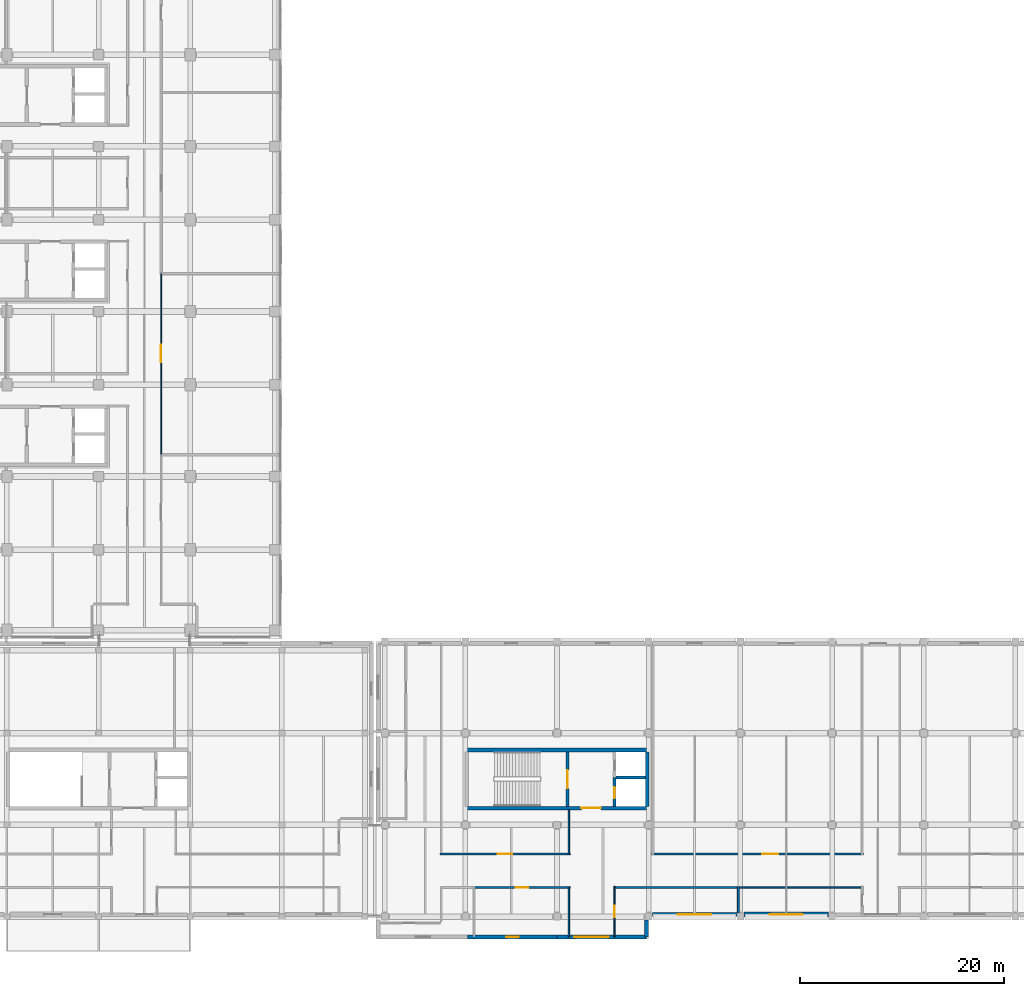
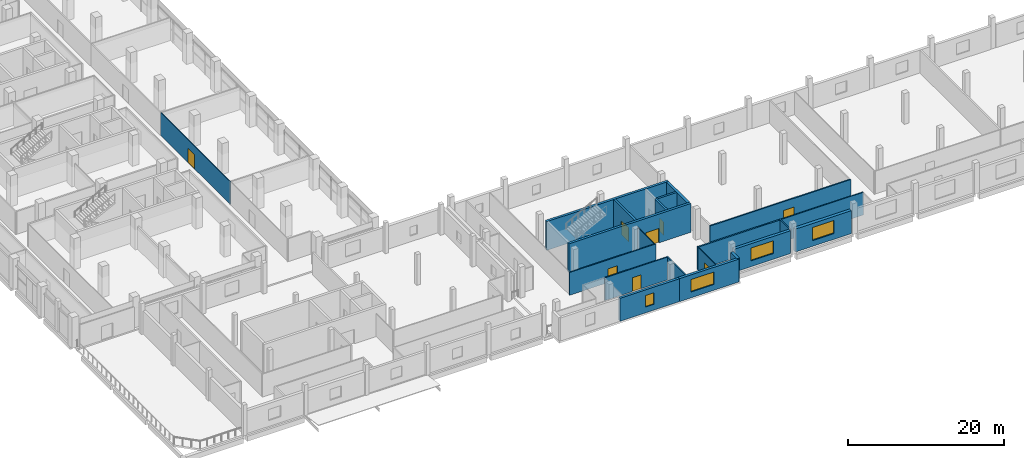
# One storey, part 68 of 111: 21 walls, 8 doors, 4 windows, 12 openings.
"""IFC4 building model written with IfcOpenShell, lengths in metres."""

from ifc_helpers import new_model, si_unit, direction, frame, frame_2d, origin, place, context, subcontext, project, spatial, rectangle, extrude, material, layer, layer_set, type_object, element, fill, save


model = new_model("IFC4")

# Units and contexts
model_context = context("Model", 3, precision=1e-05, world=origin(), true_north=direction((0.0, 1.0)))
body_context = subcontext(model_context, "Body", "Model", "MODEL_VIEW")
ifc_project = project(units=[si_unit("LENGTHUNIT", "METRE"), si_unit("AREAUNIT", "SQUARE_METRE"), si_unit("VOLUMEUNIT", "CUBIC_METRE"), si_unit("PLANEANGLEUNIT", "RADIAN"), si_unit("MASSUNIT", "GRAM", prefix="KILO"), si_unit("THERMODYNAMICTEMPERATUREUNIT", "KELVIN"), si_unit("POWERUNIT", "WATT")], contexts=[model_context])

# Site, building, storey
site_placement = place(None, origin())
site = spatial("IfcSite", under=ifc_project, at=site_placement, CompositionType="ELEMENT")
building_placement = place(site_placement, origin())
building = spatial("IfcBuilding", under=site, at=building_placement, Name="Sindhuravela Promenade Stadium", CompositionType="ELEMENT")
storey_placement = place(building_placement, frame((0.0, 0.0, 9.60009765625)))
storey = spatial("IfcBuildingStorey", under=building, at=storey_placement, Name="L02", CompositionType="ELEMENT", Elevation=9.60009765625)

# Wall, opening, window
ifc_material_1 = material(Name="Terracotta clay brick masonry (15 MPa)", Category="masonry")
ifc_layer_1 = layer(ifc_material_1, 0.360107421875)
ifc_layer_set_1 = layer_set([ifc_layer_1], Name="Terracotta clay brick masonry (15 MPa)")
wall_type_1 = type_object("IfcWallType", Name="EX-WL-BRK360", PredefinedType="SOLIDWALL", material=ifc_layer_set_1)
wall_1_placement = place(storey_placement, frame((72.0166015625, 7.0, 0.0), z_axis=(0.0, 0.0, 1.0), x_axis=(-1.0, 0.0, 0.0)))
wall_1 = element("IfcWall", 1, at=wall_1_placement, inside=storey, type_object=wall_type_1, Name="Exterior masonry wall EW05 SOUTH L02", PredefinedType="SOLIDWALL", context=body_context, shape_type="SweptSolid", body=[
    extrude(rectangle(XDim=8.783203125, YDim=0.360107421875, at=frame_2d((4.3916015625, 0.0))), origin(), (0.0, 0.0, 1.0), 3.579833984375),
])
opening_1_placement = place(wall_1_placement, frame((3.7666015625, 0.0, 0.89990234375)))
opening_1 = element("IfcOpeningElement", 2, at=opening_1_placement, cuts=wall_1, Name="Opening W25", PredefinedType="OPENING", context=body_context, shape_type="SweptSolid", body=[
    extrude(rectangle(XDim=1.25, YDim=1.800048828125, at=frame_2d((0.625, 0.89990234375))), frame((0.0, 0.18994140625, 0.0), z_axis=(0.0, -1.0, 0.0), x_axis=(1.0, 0.0, 0.0)), (0.0, 0.0, 1.0), 0.380126953125),
])
ifc_material_2 = material(Name="Tempered laminated low-E glass", Category="glass")
window_type_1 = type_object("IfcWindowType", Name="WN-FAC-1250x1800", PartitioningType="SINGLE_PANEL", PredefinedType="WINDOW", material=ifc_material_2)
window_1_placement = place(opening_1_placement, origin())
window_1 = element("IfcWindow", 3, at=window_1_placement, inside=storey, type_object=window_type_1, Name="Window W25 SOUTH L02", OverallHeight=1.800048828125, OverallWidth=1.25, PartitioningType="SINGLE_PANEL", PredefinedType="WINDOW", context=body_context, shape_type="SweptSolid", body=[
    extrude(rectangle(XDim=1.25, YDim=1.800048828125, at=frame_2d((0.625, 0.89990234375))), frame((0.0, 0.030029296875, 0.0), z_axis=(0.0, -1.0, 0.0), x_axis=(1.0, 0.0, 0.0)), (0.0, 0.0, 1.0), 0.06005859375),
])
fill(opening_1, window_1)

ifc_layer_2 = layer(ifc_material_1, 0.3798828125)
ifc_layer_set_2 = layer_set([ifc_layer_2], Name="Terracotta clay brick masonry (15 MPa)")
wall_type_2 = type_object("IfcWallType", Name="EX-WL-BRK380", PredefinedType="SOLIDWALL", material=ifc_layer_set_2)
wall_2_placement = place(storey_placement, frame((80.800048828125, 7.0, 0.0), z_axis=(0.0, 0.0, 1.0), x_axis=(-1.0, 0.0, 0.0)))
wall_2 = element("IfcWall", 4, at=wall_2_placement, inside=storey, type_object=wall_type_2, Name="Exterior masonry wall EW04 SOUTH L02", PredefinedType="SOLIDWALL", context=body_context, shape_type="SweptSolid", body=[
    extrude(rectangle(XDim=8.783447265625, YDim=0.3798828125, at=frame_2d((4.3916015625, 0.0))), origin(), (0.0, 0.0, 1.0), 3.579833984375),
])
opening_2_placement = place(wall_2_placement, frame((3.699951171875, 0.0, 0.89990234375)))
opening_2 = element("IfcOpeningElement", 5, at=opening_2_placement, cuts=wall_2, Name="Opening W24", PredefinedType="OPENING", context=body_context, shape_type="SweptSolid", body=[
    extrude(rectangle(XDim=3.39990234375, YDim=1.949951171875, at=frame_2d((1.699951171875, 0.97509765625))), frame((0.0, 0.199951171875, 0.0), z_axis=(0.0, -1.0, 0.0), x_axis=(1.0, 0.0, 0.0)), (0.0, 0.0, 1.0), 0.39990234375),
])
window_type_2 = type_object("IfcWindowType", Name="WN-FAC-3400x1950", PartitioningType="DOUBLE_PANEL_VERTICAL", PredefinedType="WINDOW", material=ifc_material_2)
window_2_placement = place(opening_2_placement, origin())
window_2 = element("IfcWindow", 6, at=window_2_placement, inside=storey, type_object=window_type_2, Name="Window W24 SOUTH L02", OverallHeight=1.949951171875, OverallWidth=3.39990234375, PartitioningType="DOUBLE_PANEL_VERTICAL", PredefinedType="WINDOW", context=body_context, shape_type="SweptSolid", body=[
    extrude(rectangle(XDim=3.39990234375, YDim=1.949951171875, at=frame_2d((1.699951171875, 0.97509765625))), frame((0.0, 0.030029296875, 0.0), z_axis=(0.0, -1.0, 0.0), x_axis=(1.0, 0.0, 0.0)), (0.0, 0.0, 1.0), 0.06005859375),
])
fill(opening_2, window_2)

# Wall
ifc_layer_3 = layer(ifc_material_1, 0.39990234375)
ifc_layer_set_3 = layer_set([ifc_layer_3], Name="Terracotta clay brick masonry (15 MPa)")
wall_type_3 = type_object("IfcWallType", Name="EX-WL-BRK400", PredefinedType="SOLIDWALL", material=ifc_layer_set_3)
wall_3_placement = place(storey_placement, frame((80.800048828125, 8.64501953125, 0.0), z_axis=(0.0, 0.0, 1.0), x_axis=(0.0, -1.0, 0.0)))
element("IfcWall", 7, at=wall_3_placement, inside=storey, type_object=wall_type_3, Name="Exterior masonry wall EW03 SOUTH L02", PredefinedType="SOLIDWALL", context=body_context, shape_type="SweptSolid", body=[
    extrude(rectangle(XDim=1.64501953125, YDim=0.39990234375, at=frame_2d((0.822509765625, 0.0))), origin(), (0.0, 0.0, 1.0), 3.579833984375),
])

# Wall, opening, window
ifc_layer_4 = layer(ifc_material_1, 0.419921875)
ifc_layer_set_4 = layer_set([ifc_layer_4], Name="Terracotta clay brick masonry (15 MPa)")
wall_type_4 = type_object("IfcWallType", Name="EX-WL-BRK420", PredefinedType="SOLIDWALL", material=ifc_layer_set_4)
wall_4_placement = place(storey_placement, frame((89.64501953125, 9.199951171875, 0.0), z_axis=(0.0, 0.0, 1.0), x_axis=(-1.0, 0.0, 0.0)))
wall_4 = element("IfcWall", 8, at=wall_4_placement, inside=storey, type_object=wall_type_4, Name="Exterior masonry wall EW02 SOUTH L02", PredefinedType="SOLIDWALL", context=body_context, shape_type="SweptSolid", body=[
    extrude(rectangle(XDim=8.2900390625, YDim=0.419921875, at=frame_2d((4.14501953125, 0.0))), origin(), (0.0, 0.0, 1.0), 3.579833984375),
])
opening_3_placement = place(wall_4_placement, frame((2.4951171875, 0.0, 0.89990234375)))
opening_3 = element("IfcOpeningElement", 9, at=opening_3_placement, cuts=wall_4, Name="Opening W23", PredefinedType="OPENING", context=body_context, shape_type="SweptSolid", body=[
    extrude(rectangle(XDim=3.300048828125, YDim=2.0, at=frame_2d((1.64990234375, 1.0))), frame((0.0, 0.219970703125, 0.0), z_axis=(0.0, -1.0, 0.0), x_axis=(1.0, 0.0, 0.0)), (0.0, 0.0, 1.0), 0.43994140625),
])
window_type_3 = type_object("IfcWindowType", Name="WN-FAC-3300x2000", PartitioningType="DOUBLE_PANEL_VERTICAL", PredefinedType="WINDOW", material=ifc_material_2)
window_3_placement = place(opening_3_placement, origin())
window_3 = element("IfcWindow", 10, at=window_3_placement, inside=storey, type_object=window_type_3, Name="Window W23 SOUTH L02", OverallHeight=2.0, OverallWidth=3.300048828125, PartitioningType="DOUBLE_PANEL_VERTICAL", PredefinedType="WINDOW", context=body_context, shape_type="SweptSolid", body=[
    extrude(rectangle(XDim=3.300048828125, YDim=2.0, at=frame_2d((1.64990234375, 1.0))), frame((0.0, 0.030029296875, 0.0), z_axis=(0.0, -1.0, 0.0), x_axis=(1.0, 0.0, 0.0)), (0.0, 0.0, 1.0), 0.06005859375),
])
fill(opening_3, window_3)

ifc_layer_5 = layer(ifc_material_1, 0.4599609375)
ifc_layer_set_5 = layer_set([ifc_layer_5], Name="Terracotta clay brick masonry (15 MPa)")
wall_type_5 = type_object("IfcWallType", Name="EX-WL-BRK460", PredefinedType="SOLIDWALL", material=ifc_layer_set_5)
wall_5_placement = place(storey_placement, frame((98.64501953125, 9.199951171875, 0.0), z_axis=(0.0, 0.0, 1.0), x_axis=(-1.0, 0.0, 0.0)))
wall_5 = element("IfcWall", 11, at=wall_5_placement, inside=storey, type_object=wall_type_5, Name="Exterior masonry wall EW01 SOUTH L02", PredefinedType="SOLIDWALL", context=body_context, shape_type="SweptSolid", body=[
    extrude(rectangle(XDim=8.2900390625, YDim=0.4599609375, at=frame_2d((4.14501953125, 0.0))), origin(), (0.0, 0.0, 1.0), 3.579833984375),
])
opening_4_placement = place(wall_5_placement, frame((2.544921875, 0.0, 0.89990234375)))
opening_4 = element("IfcOpeningElement", 12, at=opening_4_placement, cuts=wall_5, Name="Opening W22", PredefinedType="OPENING", context=body_context, shape_type="SweptSolid", body=[
    extrude(rectangle(XDim=3.199951171875, YDim=2.050048828125, at=frame_2d((1.60009765625, 1.02490234375))), frame((0.0, 0.239990234375, 0.0), z_axis=(0.0, -1.0, 0.0), x_axis=(1.0, 0.0, 0.0)), (0.0, 0.0, 1.0), 0.47998046875),
])
window_type_4 = type_object("IfcWindowType", Name="WN-FAC-3200x2050", PartitioningType="DOUBLE_PANEL_VERTICAL", PredefinedType="WINDOW", material=ifc_material_2)
window_4_placement = place(opening_4_placement, origin())
window_4 = element("IfcWindow", 13, at=window_4_placement, inside=storey, type_object=window_type_4, Name="Window W22 SOUTH L02", OverallHeight=2.050048828125, OverallWidth=3.199951171875, PartitioningType="DOUBLE_PANEL_VERTICAL", PredefinedType="WINDOW", context=body_context, shape_type="SweptSolid", body=[
    extrude(rectangle(XDim=3.199951171875, YDim=2.050048828125, at=frame_2d((1.60009765625, 1.02490234375))), frame((0.0, 0.030029296875, 0.0), z_axis=(0.0, -1.0, 0.0), x_axis=(1.0, 0.0, 0.0)), (0.0, 0.0, 1.0), 0.06005859375),
])
fill(opening_4, window_4)

# Wall, opening, door
ifc_material_3 = material(Name="Fire-rated gypsum partition board", Category="gypsum")
ifc_layer_6 = layer(ifc_material_3, 0.110107421875)
ifc_layer_set_6 = layer_set([ifc_layer_6], Name="Fire-rated gypsum partition board")
wall_type_6 = type_object("IfcWallType", Name="IN-WL-PAR110", PredefinedType="PARTITIONING", material=ifc_layer_set_6)
wall_6_placement = place(storey_placement, frame((33.139892578125, 72.114013671875, 0.0), z_axis=(0.0, 0.0, 1.0), x_axis=(0.0, -1.0, 0.0)))
wall_6 = element("IfcWall", 14, at=wall_6_placement, inside=storey, type_object=wall_type_6, Name="Corridor partition IW06 Club Finishing Kitchen West", PredefinedType="PARTITIONING", context=body_context, shape_type="SweptSolid", body=[
    extrude(rectangle(XDim=17.77197265625, YDim=0.110107421875, at=frame_2d((8.885986328125, 0.0))), origin(), (0.0, 0.0, 1.0), 3.559814453125),
])
opening_5_placement = place(wall_6_placement, frame((6.984130859375, 0.0, 0.0)))
opening_5 = element("IfcOpeningElement", 15, at=opening_5_placement, cuts=wall_6, Name="Opening ID01", PredefinedType="OPENING", context=body_context, shape_type="SweptSolid", body=[
    extrude(rectangle(XDim=1.699951171875, YDim=2.199951171875, at=frame_2d((0.85009765625, 1.10009765625))), frame((0.0, 0.06494140625, 0.0), z_axis=(0.0, -1.0, 0.0), x_axis=(1.0, 0.0, 0.0)), (0.0, 0.0, 1.0), 0.130126953125),
])
ifc_material_4 = material(Name="Architectural teak timber leaf", Category="wood")
door_type_1 = type_object("IfcDoorType", Name="DR-INT-1700x2200", OperationType="DOUBLE_DOOR_SINGLE_SWING", PredefinedType="DOOR", material=ifc_material_4)
door_1_placement = place(opening_5_placement, origin())
door_1 = element("IfcDoor", 16, at=door_1_placement, inside=storey, type_object=door_type_1, Name="Club Finishing Kitchen West door", OperationType="DOUBLE_DOOR_SINGLE_SWING", OverallHeight=2.199951171875, OverallWidth=1.699951171875, PredefinedType="DOOR", context=body_context, shape_type="SweptSolid", body=[
    extrude(rectangle(XDim=1.699951171875, YDim=2.199951171875, at=frame_2d((0.85009765625, 1.10009765625))), frame((0.0, 0.02490234375, 0.0), z_axis=(0.0, -1.0, 0.0), x_axis=(1.0, 0.0, 0.0)), (0.0, 0.0, 1.0), 0.050048828125),
])
fill(opening_5, door_1)

wall_7_placement = place(storey_placement, frame((77.639892578125, 11.97998046875, 0.0), z_axis=(0.0, 0.0, 1.0), x_axis=(0.0, -1.0, 0.0)))
wall_7 = element("IfcWall", 17, at=wall_7_placement, inside=storey, type_object=wall_type_6, Name="Corridor partition IW06 Community Catering Kitchen 5", PredefinedType="PARTITIONING", context=body_context, shape_type="SweptSolid", body=[
    extrude(rectangle(XDim=4.97998046875, YDim=0.110107421875, at=frame_2d((2.489990234375, 0.0))), origin(), (0.0, 0.0, 1.0), 3.559814453125),
])
opening_6_placement = place(wall_7_placement, frame((1.9150390625, 0.0, 0.0)))
opening_6 = element("IfcOpeningElement", 18, at=opening_6_placement, cuts=wall_7, Name="Opening ID05", PredefinedType="OPENING", context=body_context, shape_type="SweptSolid", body=[
    extrude(rectangle(XDim=1.14990234375, YDim=2.14990234375, at=frame_2d((0.574951171875, 1.074951171875))), frame((0.0, 0.06494140625, 0.0), z_axis=(0.0, -1.0, 0.0), x_axis=(1.0, 0.0, 0.0)), (0.0, 0.0, 1.0), 0.130126953125),
])
door_type_2 = type_object("IfcDoorType", Name="DR-INT-1150x2150", OperationType="NOTDEFINED", PredefinedType="DOOR", material=ifc_material_4)
door_2_placement = place(opening_6_placement, origin())
door_2 = element("IfcDoor", 19, at=door_2_placement, inside=storey, type_object=door_type_2, Name="Community Catering Kitchen 5 door", OperationType="SINGLE_SWING_RIGHT", OverallHeight=2.14990234375, OverallWidth=1.14990234375, PredefinedType="DOOR", context=body_context, shape_type="SweptSolid", body=[
    extrude(rectangle(XDim=1.14990234375, YDim=2.14990234375, at=frame_2d((0.574951171875, 1.074951171875))), frame((0.0, 0.02490234375, 0.0), z_axis=(0.0, -1.0, 0.0), x_axis=(1.0, 0.0, 0.0)), (0.0, 0.0, 1.0), 0.050048828125),
])
fill(opening_6, door_2)

# Walls
ifc_layer_7 = layer(ifc_material_3, 0.14990234375)
ifc_layer_set_7 = layer_set([ifc_layer_7], Name="Fire-rated gypsum partition board")
wall_type_7 = type_object("IfcWallType", Name="IN-WL-PAR150", PredefinedType="PARTITIONING", material=ifc_layer_set_7)
wall_8_placement = place(storey_placement, frame((73.159912109375, 19.472900390625, 0.0), z_axis=(0.0, 0.0, 1.0), x_axis=(0.0, -1.0, 0.0)))
element("IfcWall", 20, at=wall_8_placement, inside=storey, type_object=wall_type_7, Name="Interior partition IW04 SOUTH L02", PredefinedType="PARTITIONING", context=body_context, shape_type="SweptSolid", body=[
    extrude(rectangle(XDim=4.412841796875, YDim=0.14990234375, at=frame_2d((2.20654296875, 0.0))), origin(), (0.0, 0.0, 1.0), 3.559814453125),
])
wall_9_placement = place(storey_placement, frame((73.159912109375, 11.93994140625, 0.0), z_axis=(0.0, 0.0, 1.0), x_axis=(0.0, -1.0, 0.0)))
element("IfcWall", 21, at=wall_9_placement, inside=storey, type_object=wall_type_7, Name="Interior partition IW04 SOUTH L02", PredefinedType="PARTITIONING", context=body_context, shape_type="SweptSolid", body=[
    extrude(rectangle(XDim=4.89990234375, YDim=0.14990234375, at=frame_2d((2.449951171875, 0.0))), origin(), (0.0, 0.0, 1.0), 3.559814453125),
])
wall_10_placement = place(storey_placement, frame((89.840087890625, 11.860107421875, 0.0), z_axis=(0.0, 0.0, 1.0), x_axis=(1.0, 0.0, 0.0)))
element("IfcWall", 22, at=wall_10_placement, inside=storey, type_object=wall_type_7, Name="Interior partition IW04 SOUTH L02", PredefinedType="PARTITIONING", context=body_context, shape_type="SweptSolid", body=[
    extrude(rectangle(XDim=12.199951171875, YDim=0.14990234375, at=frame_2d((6.10009765625, 0.0))), origin(), (0.0, 0.0, 1.0), 3.559814453125),
])

# Wall, opening, door
ifc_layer_8 = layer(ifc_material_3, 0.175048828125)
ifc_layer_set_8 = layer_set([ifc_layer_8], Name="Fire-rated gypsum partition board")
wall_type_8 = type_object("IfcWallType", Name="IN-WL-PAR175", PredefinedType="PARTITIONING", material=ifc_layer_set_8)
wall_11_placement = place(storey_placement, frame((60.52001953125, 15.139892578125, 0.0), z_axis=(0.0, 0.0, 1.0), x_axis=(1.0, 0.0, 0.0)))
wall_11 = element("IfcWall", 23, at=wall_11_placement, inside=storey, type_object=wall_type_8, Name="Corridor partition IW03 Accessible WC South L02", PredefinedType="PARTITIONING", context=body_context, shape_type="SweptSolid", body=[
    extrude(rectangle(XDim=12.760009765625, YDim=0.175048828125, at=frame_2d((6.3798828125, 0.0))), origin(), (0.0, 0.0, 1.0), 3.559814453125),
])
opening_7_placement = place(wall_11_placement, frame((5.679931640625, 0.0, 0.0)))
opening_7 = element("IfcOpeningElement", 24, at=opening_7_placement, cuts=wall_11, Name="Opening ID03", PredefinedType="OPENING", context=body_context, shape_type="SweptSolid", body=[
    extrude(rectangle(XDim=1.39990234375, YDim=2.14990234375, at=frame_2d((0.699951171875, 1.074951171875))), frame((0.0, 0.097412109375, 0.0), z_axis=(0.0, -1.0, 0.0), x_axis=(1.0, 0.0, 0.0)), (0.0, 0.0, 1.0), 0.195068359375),
])
door_type_3 = type_object("IfcDoorType", Name="DR-INT-1400x2150", OperationType="DOUBLE_DOOR_SINGLE_SWING", PredefinedType="DOOR", material=ifc_material_4)
door_3_placement = place(opening_7_placement, origin())
door_3 = element("IfcDoor", 25, at=door_3_placement, inside=storey, type_object=door_type_3, Name="Accessible WC South L02 door", OperationType="DOUBLE_DOOR_SINGLE_SWING", OverallHeight=2.14990234375, OverallWidth=1.39990234375, PredefinedType="DOOR", context=body_context, shape_type="SweptSolid", body=[
    extrude(rectangle(XDim=1.39990234375, YDim=2.14990234375, at=frame_2d((0.699951171875, 1.074951171875))), frame((0.0, 0.02490234375, 0.0), z_axis=(0.0, -1.0, 0.0), x_axis=(1.0, 0.0, 0.0)), (0.0, 0.0, 1.0), 0.050048828125),
])
fill(opening_7, door_3)

wall_12_placement = place(storey_placement, frame((73.280029296875, 11.860107421875, 0.0), z_axis=(0.0, 0.0, 1.0), x_axis=(-1.0, 0.0, 0.0)))
wall_12 = element("IfcWall", 26, at=wall_12_placement, inside=storey, type_object=wall_type_8, Name="Corridor partition IW03 South Members Lounge 4", PredefinedType="PARTITIONING", context=body_context, shape_type="SweptSolid", body=[
    extrude(rectangle(XDim=9.4150390625, YDim=0.175048828125, at=frame_2d((4.70751953125, 0.0))), origin(), (0.0, 0.0, 1.0), 3.559814453125),
])
opening_8_placement = place(wall_12_placement, frame((4.08251953125, 0.0, 0.0)))
opening_8 = element("IfcOpeningElement", 27, at=opening_8_placement, cuts=wall_12, Name="Opening ID04", PredefinedType="OPENING", context=body_context, shape_type="SweptSolid", body=[
    extrude(rectangle(XDim=1.25, YDim=2.14990234375, at=frame_2d((0.625, 1.074951171875))), frame((0.0, 0.097412109375, 0.0), z_axis=(0.0, -1.0, 0.0), x_axis=(1.0, 0.0, 0.0)), (0.0, 0.0, 1.0), 0.195068359375),
])
door_type_4 = type_object("IfcDoorType", Name="DR-INT-1250x2150", OperationType="NOTDEFINED", PredefinedType="DOOR", material=ifc_material_4)
door_4_placement = place(opening_8_placement, origin())
door_4 = element("IfcDoor", 28, at=door_4_placement, inside=storey, type_object=door_type_4, Name="South Members Lounge 4 door", OperationType="SINGLE_SWING_LEFT", OverallHeight=2.14990234375, OverallWidth=1.25, PredefinedType="DOOR", context=body_context, shape_type="SweptSolid", body=[
    extrude(rectangle(XDim=1.25, YDim=2.14990234375, at=frame_2d((0.625, 1.074951171875))), frame((0.0, 0.02490234375, 0.0), z_axis=(0.0, -1.0, 0.0), x_axis=(1.0, 0.0, 0.0)), (0.0, 0.0, 1.0), 0.050048828125),
])
fill(opening_8, door_4)

ifc_layer_9 = layer(ifc_material_3, 0.195068359375)
ifc_layer_set_9 = layer_set([ifc_layer_9], Name="Fire-rated gypsum partition board")
wall_type_9 = type_object("IfcWallType", Name="IN-WL-PAR195", PredefinedType="PARTITIONING", material=ifc_layer_set_9)
wall_13_placement = place(storey_placement, frame((81.300048828125, 15.139892578125, 0.0), z_axis=(0.0, 0.0, 1.0), x_axis=(1.0, 0.0, 0.0)))
wall_13 = element("IfcWall", 29, at=wall_13_placement, inside=storey, type_object=wall_type_9, Name="Corridor partition IW02 Community Assembly Hall South", PredefinedType="PARTITIONING", context=body_context, shape_type="SweptSolid", body=[
    extrude(rectangle(XDim=20.780029296875, YDim=0.195068359375, at=frame_2d((10.39013671875, 0.0))), origin(), (0.0, 0.0, 1.0), 3.559814453125),
])
opening_9_placement = place(wall_13_placement, frame((10.847412109375, 0.0, 0.0)))
opening_9 = element("IfcOpeningElement", 30, at=opening_9_placement, cuts=wall_13, Name="Opening ID02", PredefinedType="OPENING", context=body_context, shape_type="SweptSolid", body=[
    extrude(rectangle(XDim=1.550048828125, YDim=2.199951171875, at=frame_2d((0.77490234375, 1.10009765625))), frame((0.0, 0.107421875, 0.0), z_axis=(0.0, -1.0, 0.0), x_axis=(1.0, 0.0, 0.0)), (0.0, 0.0, 1.0), 0.215087890625),
])
door_type_5 = type_object("IfcDoorType", Name="DR-INT-1550x2200", OperationType="DOUBLE_DOOR_SINGLE_SWING", PredefinedType="DOOR", material=ifc_material_4)
door_5_placement = place(opening_9_placement, origin())
door_5 = element("IfcDoor", 31, at=door_5_placement, inside=storey, type_object=door_type_5, Name="Community Assembly Hall South door", OperationType="DOUBLE_DOOR_SINGLE_SWING", OverallHeight=2.199951171875, OverallWidth=1.550048828125, PredefinedType="DOOR", context=body_context, shape_type="SweptSolid", body=[
    extrude(rectangle(XDim=1.550048828125, YDim=2.199951171875, at=frame_2d((0.77490234375, 1.10009765625))), frame((0.0, 0.02490234375, 0.0), z_axis=(0.0, -1.0, 0.0), x_axis=(1.0, 0.0, 0.0)), (0.0, 0.0, 1.0), 0.050048828125),
])
fill(opening_9, door_5)

# Walls
wall_14_placement = place(storey_placement, frame((89.800048828125, 11.93994140625, 0.0), z_axis=(0.0, 0.0, 1.0), x_axis=(0.0, -1.0, 0.0)))
element("IfcWall", 32, at=wall_14_placement, inside=storey, type_object=wall_type_9, Name="Interior partition IW02 SOUTH L02", PredefinedType="PARTITIONING", context=body_context, shape_type="SweptSolid", body=[
    extrude(rectangle(XDim=2.699951171875, YDim=0.195068359375, at=frame_2d((1.35009765625, 0.0))), origin(), (0.0, 0.0, 1.0), 3.559814453125),
])
ifc_layer_10 = layer(ifc_material_3, 0.219970703125)
ifc_layer_set_10 = layer_set([ifc_layer_10], Name="Fire-rated gypsum partition board")
wall_type_10 = type_object("IfcWallType", Name="IN-WL-PAR220", PredefinedType="PARTITIONING", material=ifc_layer_set_10)
wall_15_placement = place(storey_placement, frame((77.56005859375, 11.860107421875, 0.0), z_axis=(0.0, 0.0, 1.0), x_axis=(1.0, 0.0, 0.0)))
element("IfcWall", 33, at=wall_15_placement, inside=storey, type_object=wall_type_10, Name="Interior partition IW01 SOUTH L02", PredefinedType="PARTITIONING", context=body_context, shape_type="SweptSolid", body=[
    extrude(rectangle(XDim=12.199951171875, YDim=0.219970703125, at=frame_2d((6.10009765625, 0.0))), origin(), (0.0, 0.0, 1.0), 3.559814453125),
])

# Wall, opening, door
ifc_material_5 = material(Name="Concrete M50", Category="concrete")
ifc_layer_11 = layer(ifc_material_5, 0.300048828125)
ifc_layer_set_11 = layer_set([ifc_layer_11], Name="Concrete M50")
wall_type_11 = type_object("IfcWallType", Name="RC-SW-300", PredefinedType="SHEAR", material=ifc_layer_set_11)
wall_16_placement = place(storey_placement, frame((73.050048828125, 19.824951171875, 0.0), z_axis=(0.0, 0.0, 1.0), x_axis=(0.0, 1.0, 0.0)))
wall_16 = element("IfcWall", 34, at=wall_16_placement, inside=storey, type_object=wall_type_11, Name="Core shear wall C11-ST (L02)", PredefinedType="SHEAR", context=body_context, shape_type="SweptSolid", body=[
    extrude(rectangle(XDim=5.35009765625, YDim=0.300048828125, at=frame_2d((2.675048828125, 0.0))), origin(), (0.0, 0.0, 1.0), 4.5),
])
opening_10_placement = place(wall_16_placement, frame((1.75, 0.0, 0.0)))
opening_10 = element("IfcOpeningElement", 35, at=opening_10_placement, cuts=wall_16, Name="Opening FD01", PredefinedType="OPENING", context=body_context, shape_type="SweptSolid", body=[
    extrude(rectangle(XDim=1.800048828125, YDim=2.25, at=frame_2d((0.89990234375, 1.125))), frame((0.0, 0.159912109375, 0.0), z_axis=(0.0, -1.0, 0.0), x_axis=(1.0, 0.0, 0.0)), (0.0, 0.0, 1.0), 0.320068359375),
])
ifc_material_6 = material(Name="Architectural wrought steel E350", Category="steel")
door_type_6 = type_object("IfcDoorType", Name="DR-CORE-1800x2250", OperationType="DOUBLE_DOOR_SINGLE_SWING", PredefinedType="DOOR", material=ifc_material_6)
door_6_placement = place(opening_10_placement, origin())
door_6 = element("IfcDoor", 36, at=door_6_placement, inside=storey, type_object=door_type_6, Name="Stair ST11 lobby fire door (L02)", OperationType="DOUBLE_DOOR_SINGLE_SWING", OverallHeight=2.25, OverallWidth=1.800048828125, PredefinedType="DOOR", context=body_context, shape_type="SweptSolid", body=[
    extrude(rectangle(XDim=1.800048828125, YDim=2.25, at=frame_2d((0.89990234375, 1.125))), frame((0.0, 0.02490234375, 0.0), z_axis=(0.0, -1.0, 0.0), x_axis=(1.0, 0.0, 0.0)), (0.0, 0.0, 1.0), 0.050048828125),
])
fill(opening_10, door_6)

wall_17_placement = place(storey_placement, frame((77.64990234375, 19.824951171875, 0.0), z_axis=(0.0, 0.0, 1.0), x_axis=(0.0, 1.0, 0.0)))
wall_17 = element("IfcWall", 37, at=wall_17_placement, inside=storey, type_object=wall_type_11, Name="Core shear wall C11-LFT (L02)", PredefinedType="SHEAR", context=body_context, shape_type="SweptSolid", body=[
    extrude(rectangle(XDim=2.824951171875, YDim=0.300048828125, at=frame_2d((1.41259765625, 0.0))), origin(), (0.0, 0.0, 1.0), 4.5),
])
opening_11_placement = place(wall_17_placement, frame((0.77490234375, 0.0, 0.0)))
opening_11 = element("IfcOpeningElement", 38, at=opening_11_placement, cuts=wall_17, Name="Opening LD", PredefinedType="OPENING", context=body_context, shape_type="SweptSolid", body=[
    extrude(rectangle(XDim=1.10009765625, YDim=2.10009765625, at=frame_2d((0.550048828125, 1.050048828125))), frame((0.0, 0.159912109375, 0.0), z_axis=(0.0, -1.0, 0.0), x_axis=(1.0, 0.0, 0.0)), (0.0, 0.0, 1.0), 0.320068359375),
])
door_type_7 = type_object("IfcDoorType", Name="DR-LFT-1100x2100", OperationType="DOUBLE_DOOR_SLIDING", PredefinedType="DOOR", material=ifc_material_6)
door_7_placement = place(opening_11_placement, origin())
door_7 = element("IfcDoor", 39, at=door_7_placement, inside=storey, type_object=door_type_7, Name="Lift PL04 landing door (L02)", OperationType="DOUBLE_DOOR_SLIDING", OverallHeight=2.10009765625, OverallWidth=1.10009765625, PredefinedType="DOOR", context=body_context, shape_type="SweptSolid", body=[
    extrude(rectangle(XDim=1.10009765625, YDim=2.10009765625, at=frame_2d((0.550048828125, 1.050048828125))), frame((0.0, 0.02490234375, 0.0), z_axis=(0.0, -1.0, 0.0), x_axis=(1.0, 0.0, 0.0)), (0.0, 0.0, 1.0), 0.050048828125),
])
fill(opening_11, door_7)

# Wall
wall_18_placement = place(storey_placement, frame((77.800048828125, 22.64990234375, 0.0), z_axis=(0.0, 0.0, 1.0), x_axis=(1.0, 0.0, 0.0)))
element("IfcWall", 40, at=wall_18_placement, inside=storey, type_object=wall_type_11, Name="Core shear wall C11-DIV (L02)", PredefinedType="SHEAR", context=body_context, shape_type="SweptSolid", body=[
    extrude(rectangle(XDim=2.875, YDim=0.300048828125, at=frame_2d((1.4375, 0.0))), origin(), (0.0, 0.0, 1.0), 4.5),
])

# Wall, opening, door
ifc_layer_12 = layer(ifc_material_5, 0.35009765625)
ifc_layer_set_12 = layer_set([ifc_layer_12], Name="Concrete M50")
wall_type_12 = type_object("IfcWallType", Name="RC-SW-350", PredefinedType="SHEAR", material=ifc_layer_set_12)
wall_19_placement = place(storey_placement, frame((63.0, 19.64990234375, 0.0), z_axis=(0.0, 0.0, 1.0), x_axis=(1.0, 0.0, 0.0)))
wall_19 = element("IfcWall", 41, at=wall_19_placement, inside=storey, type_object=wall_type_12, Name="Core shear wall C11-S (L02)", PredefinedType="SHEAR", context=body_context, shape_type="SweptSolid", body=[
    extrude(rectangle(XDim=18.0, YDim=0.35009765625, at=frame_2d((9.0, 0.0))), origin(), (0.0, 0.0, 1.0), 4.5),
])
opening_12_placement = place(wall_19_placement, frame((11.39990234375, 0.0, 0.0)))
opening_12 = element("IfcOpeningElement", 42, at=opening_12_placement, cuts=wall_19, Name="Opening FD02", PredefinedType="OPENING", context=body_context, shape_type="SweptSolid", body=[
    extrude(rectangle(XDim=1.89990234375, YDim=2.25, at=frame_2d((0.949951171875, 1.125))), frame((0.0, 0.18505859375, 0.0), z_axis=(0.0, -1.0, 0.0), x_axis=(1.0, 0.0, 0.0)), (0.0, 0.0, 1.0), 0.3701171875),
])
door_type_8 = type_object("IfcDoorType", Name="DR-LOB-1900x2250", OperationType="DOUBLE_DOOR_SINGLE_SWING", PredefinedType="DOOR", material=ifc_material_6)
door_8_placement = place(opening_12_placement, origin())
door_8 = element("IfcDoor", 43, at=door_8_placement, inside=storey, type_object=door_type_8, Name="Protected lobby entrance door C11 (L02)", OperationType="DOUBLE_DOOR_SINGLE_SWING", OverallHeight=2.25, OverallWidth=1.89990234375, PredefinedType="DOOR", context=body_context, shape_type="SweptSolid", body=[
    extrude(rectangle(XDim=1.89990234375, YDim=2.25, at=frame_2d((0.949951171875, 1.125))), frame((0.0, 0.02490234375, 0.0), z_axis=(0.0, -1.0, 0.0), x_axis=(1.0, 0.0, 0.0)), (0.0, 0.0, 1.0), 0.050048828125),
])
fill(opening_12, door_8)

# Walls
wall_20_placement = place(storey_placement, frame((81.0, 25.35009765625, 0.0), z_axis=(0.0, 0.0, 1.0), x_axis=(-1.0, 0.0, 0.0)))
element("IfcWall", 44, at=wall_20_placement, inside=storey, type_object=wall_type_12, Name="Core shear wall C11-N (L02)", PredefinedType="SHEAR", context=body_context, shape_type="SweptSolid", body=[
    extrude(rectangle(XDim=18.0, YDim=0.35009765625, at=frame_2d((9.0, 0.0))), origin(), (0.0, 0.0, 1.0), 4.5),
])
wall_21_placement = place(storey_placement, frame((80.85009765625, 19.824951171875, 0.0), z_axis=(0.0, 0.0, 1.0), x_axis=(0.0, 1.0, 0.0)))
element("IfcWall", 45, at=wall_21_placement, inside=storey, type_object=wall_type_12, Name="Core shear wall C11-E (L02)", PredefinedType="SHEAR", context=body_context, shape_type="SweptSolid", body=[
    extrude(rectangle(XDim=5.35009765625, YDim=0.35009765625, at=frame_2d((2.675048828125, 0.0))), origin(), (0.0, 0.0, 1.0), 4.5),
])

save(model, "model.ifc")
